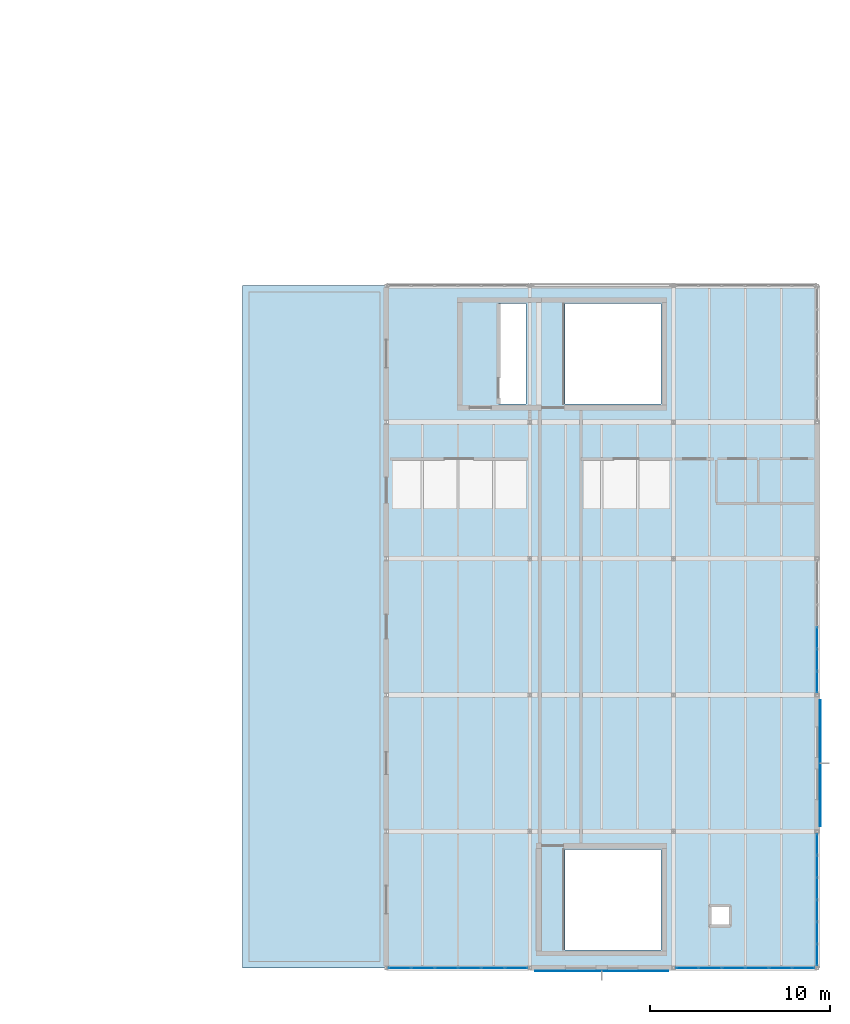
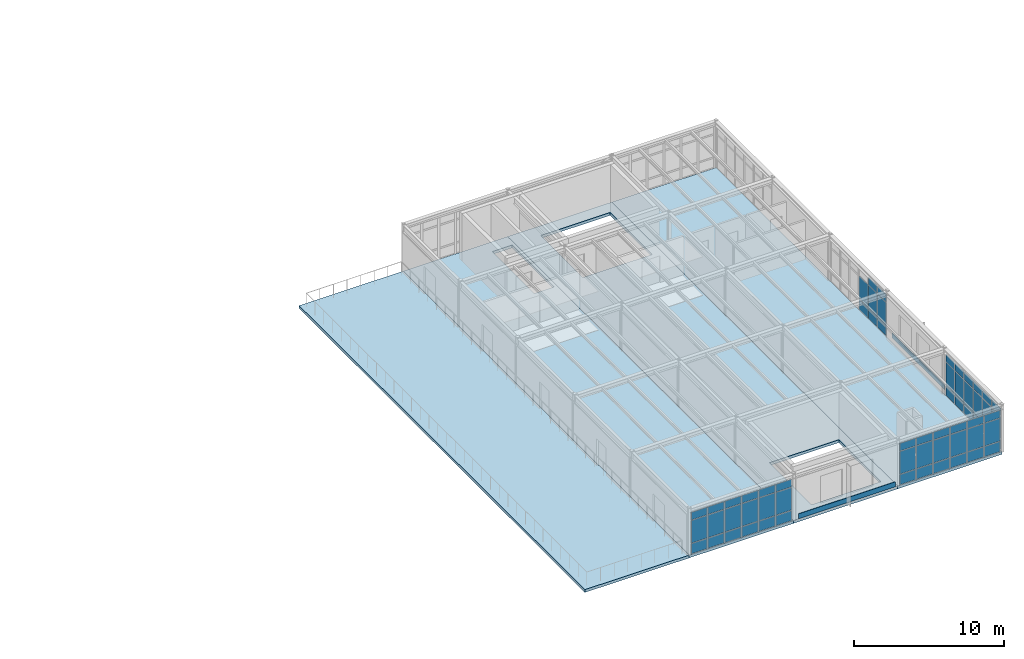
# One storey, part 44 of 65: 64 plates, 4 slabs, 4 elements without a shape of their own.
"""IFC4 building model written with IfcOpenShell, lengths in metres."""

import ifcopenshell
import ifcopenshell.guid

model = None  # the IFC model being written
_history = None  # IfcOwnerHistory: only IFC2X3 demands one
_inside = {}  # id of a spatial element -> (the spatial element, [elements in it])
_under = {}  # id of a project, library or spatial element -> (it, [spatial elements below it])
_declared = {}  # id of a project -> (the project, [libraries it declares])
_typed = {}  # id of a type object -> (the type object, [elements of that type])
_made_of = {}  # id of a material, layer set ... -> (it, [elements and type objects made of it])


def new_model(schema):
    """Start an empty IFC model of exactly this schema.

    Asked for "IFC4X3", IfcOpenShell would pick the latest addendum, in which some entities
    have other attributes; the version numbers below select the first issue.
    IFC2X3 requires an IfcOwnerHistory on every rooted entity: one is made here for all.
    """
    global model, _history
    if schema == "IFC4X3":
        model = ifcopenshell.file(schema_version=(4, 3, 0, 0))
    else:
        model = ifcopenshell.file(schema=schema)
    _inside.clear()
    _under.clear()
    _declared.clear()
    _typed.clear()
    _made_of.clear()
    _history = None
    if model.schema == "IFC2X3":
        org = make("IfcOrganization", Name="unknown")
        user = make(
            "IfcPersonAndOrganization",
            ThePerson=make("IfcPerson", FamilyName="unknown"),
            TheOrganization=org,
        )
        app = make(
            "IfcApplication",
            ApplicationDeveloper=org,
            Version="unknown",
            ApplicationFullName="unknown",
            ApplicationIdentifier="unknown",
        )
        _history = make(
            "IfcOwnerHistory",
            OwningUser=user,
            OwningApplication=app,
            ChangeAction="ADDED",
            CreationDate=0,
        )
    return model


def make(cls, **values):
    """One entity of the class cls with the attributes given. An attribute that is None is left unset."""
    return model.create_entity(
        cls, **{name: value for name, value in values.items() if value is not None}
    )


def rooted(cls, **values):
    """An entity with a GlobalId (a new one), such as an element, a storey or a relation."""
    return make(cls, GlobalId=ifcopenshell.guid.new(), OwnerHistory=_history, **values)


def si_unit(unit_type, name, prefix=None):
    """IfcSIUnit, for example si_unit("LENGTHUNIT", "METRE", prefix="MILLI")."""
    return make("IfcSIUnit", UnitType=unit_type, Prefix=prefix, Name=name)


def assignment(units):
    """IfcUnitAssignment: the units of a project."""
    return None if units is None else make("IfcUnitAssignment", Units=units)


def point(xyz):
    """IfcCartesianPoint."""
    return None if xyz is None else make("IfcCartesianPoint", Coordinates=xyz)


def direction(xyz):
    """IfcDirection."""
    return None if xyz is None else make("IfcDirection", DirectionRatios=xyz)


def frame(location, z_axis=None, x_axis=None):
    """IfcAxis2Placement3D, a coordinate frame: its origin and axes. An axis left out is left unset."""
    return make(
        "IfcAxis2Placement3D",
        Location=point(location),
        Axis=direction(z_axis),
        RefDirection=direction(x_axis),
    )


def frame_2d(location, x_axis=None):
    """IfcAxis2Placement2D, a coordinate frame in the plane: its origin and x axis."""
    return make(
        "IfcAxis2Placement2D", Location=point(location), RefDirection=direction(x_axis)
    )


def origin():
    """The frame at (0, 0, 0) with its axes left unset."""
    return frame((0.0, 0.0, 0.0))


def origin_2d():
    """The frame at (0, 0) in the plane with its x axis left unset."""
    return frame_2d((0.0, 0.0))


def place(relative_to, where):
    """IfcLocalPlacement: puts the frame where relative to a parent placement (None: the world)."""
    return make(
        "IfcLocalPlacement", PlacementRelTo=relative_to, RelativePlacement=where
    )


def context(
    kind, dimensions, precision=None, world=None, true_north=None, identifier=None
):
    """IfcGeometricRepresentationContext, for example the 3D "Model" context."""
    return make(
        "IfcGeometricRepresentationContext",
        ContextIdentifier=identifier,
        ContextType=kind,
        CoordinateSpaceDimension=dimensions,
        Precision=precision,
        WorldCoordinateSystem=world,
        TrueNorth=true_north,
    )


def subcontext(parent, identifier, kind, view, scale=None):
    """IfcGeometricRepresentationSubContext, for example "Body" below "Model"."""
    return make(
        "IfcGeometricRepresentationSubContext",
        ContextIdentifier=identifier,
        ContextType=kind,
        ParentContext=parent,
        TargetScale=scale,
        TargetView=view,
    )


def project(units=None, contexts=None):
    """IfcProject with its units and contexts."""
    return rooted(
        "IfcProject",
        Name="project",
        RepresentationContexts=contexts,
        UnitsInContext=assignment(units),
    )


def spatial(cls, under=None, at=None, **own):
    """A site, building, storey or space (cls), placed at a placement, below another one or the project."""
    s = rooted(cls, ObjectPlacement=at, **own)
    if under is not None:
        _under.setdefault(under.id(), (under, []))[1].append(s)
    return s


def polyline(points):
    """IfcPolyline through the points."""
    return make("IfcPolyline", Points=[point(p) for p in points])


def profile(cls, at=None, kind="AREA", **sizes):
    """A parametric profile (cls). Its sizes go by their IFC names, for example OverallWidth=200.0."""
    return make(cls, ProfileType=kind, Position=at, **sizes)


def rectangle(**sizes):
    """IfcRectangleProfileDef."""
    return profile("IfcRectangleProfileDef", **sizes)


def outline(outer, holes=None, kind="AREA"):
    """IfcArbitraryClosedProfileDef: a profile drawn as a closed curve; with holes, ...WithVoids."""
    if holes is None:
        return make("IfcArbitraryClosedProfileDef", ProfileType=kind, OuterCurve=outer)
    return make(
        "IfcArbitraryProfileDefWithVoids",
        ProfileType=kind,
        OuterCurve=outer,
        InnerCurves=holes,
    )


def extrude(swept, where, along, depth):
    """IfcExtrudedAreaSolid: the profile swept, set in the frame where, extruded along a direction by depth."""
    return make(
        "IfcExtrudedAreaSolid",
        SweptArea=swept,
        Position=where,
        ExtrudedDirection=direction(along),
        Depth=depth,
    )


def shape(context_of_items, identifier, shape_type, items):
    """IfcShapeRepresentation: the items that make up one representation, for example the "Body"."""
    return make(
        "IfcShapeRepresentation",
        ContextOfItems=context_of_items,
        RepresentationIdentifier=identifier,
        RepresentationType=shape_type,
        Items=items,
    )


def material(Name=None, Category=None):
    """IfcMaterial."""
    return make("IfcMaterial", Name=Name, Category=Category)


def layer(
    of_material, thickness, ventilated=None, Name=None, Category=None, Priority=None
):
    """IfcMaterialLayer: one layer of a wall or slab, of a material (None: an air gap)."""
    return make(
        "IfcMaterialLayer",
        Material=of_material,
        LayerThickness=thickness,
        IsVentilated=ventilated,
        Name=Name,
        Category=Category,
        Priority=Priority,
    )


def layer_set(layers, Name=None):
    """IfcMaterialLayerSet."""
    return make("IfcMaterialLayerSet", MaterialLayers=layers, LayerSetName=Name)


def made_of(thing, what):
    """Note that an element or type object is made of a material, layer set ...; save() writes the relation."""
    if what is not None:
        _made_of.setdefault(what.id(), (what, []))[1].append(thing)
    return thing


def type_object(cls, material=None, **own):
    """A type object (cls), such as IfcWallType, which elements share."""
    return made_of(rooted(cls, **own), material)


def element(
    cls,
    number,
    at=None,
    inside=None,
    cuts=None,
    type_object=None,
    material=None,
    context=None,
    identifier="Body",
    shape_type=None,
    held_by="IfcProductDefinitionShape",
    body=None,
    shapes=None,
    **own,
):
    """One element of the class cls, such as IfcWall. Its Tag is "e" and its number.

    at: its placement. inside: the storey or other place that contains it. cuts: it is an
    opening in that element (IfcRelVoidsElement). A single representation is given by context,
    identifier, shape_type and body (its items); several are given by shapes. held_by: the class
    of the entity that holds the representations. save() writes the other relations.
    """
    e = rooted(cls, Tag="e%d" % number, ObjectPlacement=at, **own)
    if body is not None:
        shapes = [shape(context, identifier, shape_type, body)]
    if shapes is not None:
        e.Representation = make(held_by, Representations=shapes)
    if inside is not None:
        _inside.setdefault(inside.id(), (inside, []))[1].append(e)
    if cuts is not None:
        rooted(
            "IfcRelVoidsElement", RelatingBuildingElement=cuts, RelatedOpeningElement=e
        )
    if type_object is not None:
        _typed.setdefault(type_object.id(), (type_object, []))[1].append(e)
    return made_of(e, material)


def aggregate(whole, parts):
    """IfcRelAggregates: a whole, such as a stair, and the parts it consists of."""
    return rooted("IfcRelAggregates", RelatingObject=whole, RelatedObjects=parts)


def save(model, path):
    """Write the relations noted so far, then the file.

    IfcRelAggregates (storeys below a building ...), IfcRelContainedInSpatialStructure (elements
    in a storey), IfcRelDefinesByType, IfcRelAssociatesMaterial and IfcRelDeclares: one each for
    every whole, place, type object, material and project.
    """
    for whole, parts in _under.values():
        aggregate(whole, parts)
    for where, things in _inside.values():
        rooted(
            "IfcRelContainedInSpatialStructure",
            RelatedElements=things,
            RelatingStructure=where,
        )
    for kind, things in _typed.values():
        rooted("IfcRelDefinesByType", RelatedObjects=things, RelatingType=kind)
    for what, things in _made_of.values():
        rooted("IfcRelAssociatesMaterial", RelatedObjects=things, RelatingMaterial=what)
    for by, libraries in _declared.values():
        rooted("IfcRelDeclares", RelatingContext=by, RelatedDefinitions=libraries)
    model.write(path)


model = new_model("IFC4")

# Units and contexts
model_context = context("Model", 3, precision=1e-05, world=origin(), true_north=direction((0.0, 1.0)))
body_context = subcontext(model_context, "Body", "Model", "MODEL_VIEW")
ifc_project = project(units=[si_unit("LENGTHUNIT", "METRE"), si_unit("AREAUNIT", "SQUARE_METRE"), si_unit("VOLUMEUNIT", "CUBIC_METRE"), si_unit("PLANEANGLEUNIT", "RADIAN"), si_unit("MASSUNIT", "GRAM", prefix="KILO")], contexts=[model_context])

# Site, building, storey
site_placement = place(None, origin())
site = spatial("IfcSite", under=ifc_project, at=site_placement, CompositionType="ELEMENT")
building_placement = place(site_placement, origin())
building = spatial("IfcBuilding", under=site, at=building_placement, Name="Montecoro Central Library", CompositionType="ELEMENT")
storey_placement = place(building_placement, frame((0.0, 0.0, 17.340087890625)))
storey = spatial("IfcBuildingStorey", under=building, at=storey_placement, Name="L04", CompositionType="ELEMENT", Elevation=17.340087890625)

# Curtain wall, plates
ifc_material_1 = material(Name="Bronze-anodised aluminium and low-E glazing", Category="aluminium")
ifc_layer_1 = layer(ifc_material_1, 0.159912109375)
ifc_layer_set_1 = layer_set([ifc_layer_1], Name="Bronze-anodised aluminium and low-E glazing")
curtain_wall_type_1 = type_object("IfcCurtainWallType", Name="CWT-072", PredefinedType="NOTDEFINED", material=ifc_layer_set_1)
curtain_wall_1_placement = place(storey_placement, origin())
curtain_wall_1 = element("IfcCurtainWall", 1, at=curtain_wall_1_placement, inside=storey, type_object=curtain_wall_type_1, Name="V6-L04-CW-S0", PredefinedType="NOTDEFINED")
ifc_material_2 = material(Name="Laminated low-E double glazing", Category="glass")
ifc_layer_2 = layer(ifc_material_2, 0.02587890625)
ifc_layer_set_2 = layer_set([ifc_layer_2], Name="Laminated low-E double glazing")
plate_type_1 = type_object("IfcPlateType", Name="CWP-GLZ-01", PredefinedType="CURTAIN_PANEL", material=ifc_layer_set_2)
plate_1_placement = place(storey_placement, frame((149.75927734375, 5.0, 0.059814453125), z_axis=(0.0, 0.0, 1.0), x_axis=(1.0, 0.0, 0.0)))
plate_1 = element("IfcPlate", 2, at=plate_1_placement, type_object=plate_type_1, Name="CW-072 panel 1.1", PredefinedType="CURTAIN_PANEL", context=body_context, shape_type="SweptSolid", body=[
    extrude(rectangle(XDim=1.21240234375, YDim=0.02587890625, at=origin_2d()), origin(), (0.0, 0.0, 1.0), 0.81005859375),
])
plate_2_placement = place(storey_placement, frame((149.75927734375, 5.0, 0.9296875), z_axis=(0.0, 0.0, 1.0), x_axis=(1.0, 0.0, 0.0)))
plate_2 = element("IfcPlate", 3, at=plate_2_placement, type_object=plate_type_1, Name="CW-072 panel 1.2", PredefinedType="CURTAIN_PANEL", context=body_context, shape_type="SweptSolid", body=[
    extrude(rectangle(XDim=1.21240234375, YDim=0.02587890625, at=origin_2d()), origin(), (0.0, 0.0, 1.0), 1.820068359375),
])
plate_3_placement = place(storey_placement, frame((149.75927734375, 5.0, 2.81005859375), z_axis=(0.0, 0.0, 1.0), x_axis=(1.0, 0.0, 0.0)))
plate_3 = element("IfcPlate", 4, at=plate_3_placement, type_object=plate_type_1, Name="CW-072 panel 1.3", PredefinedType="CURTAIN_PANEL", context=body_context, shape_type="SweptSolid", body=[
    extrude(rectangle(XDim=1.21240234375, YDim=0.02587890625, at=origin_2d()), origin(), (0.0, 0.0, 1.0), 0.610107421875),
])
plate_4_placement = place(storey_placement, frame((151.04638671875, 5.0, 0.059814453125), z_axis=(0.0, 0.0, 1.0), x_axis=(1.0, 0.0, 0.0)))
plate_4 = element("IfcPlate", 5, at=plate_4_placement, type_object=plate_type_1, Name="CW-072 panel 2.1", PredefinedType="CURTAIN_PANEL", context=body_context, shape_type="SweptSolid", body=[
    extrude(rectangle(XDim=1.242431640625, YDim=0.02587890625, at=origin_2d()), origin(), (0.0, 0.0, 1.0), 0.81005859375),
])
plate_5_placement = place(storey_placement, frame((151.04638671875, 5.0, 0.9296875), z_axis=(0.0, 0.0, 1.0), x_axis=(1.0, 0.0, 0.0)))
plate_5 = element("IfcPlate", 6, at=plate_5_placement, type_object=plate_type_1, Name="CW-072 panel 2.2", PredefinedType="CURTAIN_PANEL", context=body_context, shape_type="SweptSolid", body=[
    extrude(rectangle(XDim=1.242431640625, YDim=0.02587890625, at=origin_2d()), origin(), (0.0, 0.0, 1.0), 1.820068359375),
])
plate_6_placement = place(storey_placement, frame((151.04638671875, 5.0, 2.81005859375), z_axis=(0.0, 0.0, 1.0), x_axis=(1.0, 0.0, 0.0)))
plate_6 = element("IfcPlate", 7, at=plate_6_placement, type_object=plate_type_1, Name="CW-072 panel 2.3", PredefinedType="CURTAIN_PANEL", context=body_context, shape_type="SweptSolid", body=[
    extrude(rectangle(XDim=1.242431640625, YDim=0.02587890625, at=origin_2d()), origin(), (0.0, 0.0, 1.0), 0.610107421875),
])
plate_7_placement = place(storey_placement, frame((152.348876953125, 5.0, 0.059814453125), z_axis=(0.0, 0.0, 1.0), x_axis=(1.0, 0.0, 0.0)))
plate_7 = element("IfcPlate", 8, at=plate_7_placement, type_object=plate_type_1, Name="CW-072 panel 3.1", PredefinedType="CURTAIN_PANEL", context=body_context, shape_type="SweptSolid", body=[
    extrude(rectangle(XDim=1.242431640625, YDim=0.02587890625, at=origin_2d()), origin(), (0.0, 0.0, 1.0), 0.81005859375),
])
plate_8_placement = place(storey_placement, frame((152.348876953125, 5.0, 0.9296875), z_axis=(0.0, 0.0, 1.0), x_axis=(1.0, 0.0, 0.0)))
plate_8 = element("IfcPlate", 9, at=plate_8_placement, type_object=plate_type_1, Name="CW-072 panel 3.2", PredefinedType="CURTAIN_PANEL", context=body_context, shape_type="SweptSolid", body=[
    extrude(rectangle(XDim=1.242431640625, YDim=0.02587890625, at=origin_2d()), origin(), (0.0, 0.0, 1.0), 1.820068359375),
])
plate_9_placement = place(storey_placement, frame((152.348876953125, 5.0, 2.81005859375), z_axis=(0.0, 0.0, 1.0), x_axis=(1.0, 0.0, 0.0)))
plate_9 = element("IfcPlate", 10, at=plate_9_placement, type_object=plate_type_1, Name="CW-072 panel 3.3", PredefinedType="CURTAIN_PANEL", context=body_context, shape_type="SweptSolid", body=[
    extrude(rectangle(XDim=1.242431640625, YDim=0.02587890625, at=origin_2d()), origin(), (0.0, 0.0, 1.0), 0.610107421875),
])
plate_10_placement = place(storey_placement, frame((153.651123046875, 5.0, 0.059814453125), z_axis=(0.0, 0.0, 1.0), x_axis=(1.0, 0.0, 0.0)))
plate_10 = element("IfcPlate", 11, at=plate_10_placement, type_object=plate_type_1, Name="CW-072 panel 4.1", PredefinedType="CURTAIN_PANEL", context=body_context, shape_type="SweptSolid", body=[
    extrude(rectangle(XDim=1.242431640625, YDim=0.02587890625, at=origin_2d()), origin(), (0.0, 0.0, 1.0), 0.81005859375),
])
plate_11_placement = place(storey_placement, frame((153.651123046875, 5.0, 0.9296875), z_axis=(0.0, 0.0, 1.0), x_axis=(1.0, 0.0, 0.0)))
plate_11 = element("IfcPlate", 12, at=plate_11_placement, type_object=plate_type_1, Name="CW-072 panel 4.2", PredefinedType="CURTAIN_PANEL", context=body_context, shape_type="SweptSolid", body=[
    extrude(rectangle(XDim=1.242431640625, YDim=0.02587890625, at=origin_2d()), origin(), (0.0, 0.0, 1.0), 1.820068359375),
])
plate_12_placement = place(storey_placement, frame((153.651123046875, 5.0, 2.81005859375), z_axis=(0.0, 0.0, 1.0), x_axis=(1.0, 0.0, 0.0)))
plate_12 = element("IfcPlate", 13, at=plate_12_placement, type_object=plate_type_1, Name="CW-072 panel 4.3", PredefinedType="CURTAIN_PANEL", context=body_context, shape_type="SweptSolid", body=[
    extrude(rectangle(XDim=1.242431640625, YDim=0.02587890625, at=origin_2d()), origin(), (0.0, 0.0, 1.0), 0.610107421875),
])
plate_13_placement = place(storey_placement, frame((154.95361328125, 5.0, 0.059814453125), z_axis=(0.0, 0.0, 1.0), x_axis=(1.0, 0.0, 0.0)))
plate_13 = element("IfcPlate", 14, at=plate_13_placement, type_object=plate_type_1, Name="CW-072 panel 5.1", PredefinedType="CURTAIN_PANEL", context=body_context, shape_type="SweptSolid", body=[
    extrude(rectangle(XDim=1.242431640625, YDim=0.02587890625, at=origin_2d()), origin(), (0.0, 0.0, 1.0), 0.81005859375),
])
plate_14_placement = place(storey_placement, frame((154.95361328125, 5.0, 0.9296875), z_axis=(0.0, 0.0, 1.0), x_axis=(1.0, 0.0, 0.0)))
plate_14 = element("IfcPlate", 15, at=plate_14_placement, type_object=plate_type_1, Name="CW-072 panel 5.2", PredefinedType="CURTAIN_PANEL", context=body_context, shape_type="SweptSolid", body=[
    extrude(rectangle(XDim=1.242431640625, YDim=0.02587890625, at=origin_2d()), origin(), (0.0, 0.0, 1.0), 1.820068359375),
])
plate_15_placement = place(storey_placement, frame((154.95361328125, 5.0, 2.81005859375), z_axis=(0.0, 0.0, 1.0), x_axis=(1.0, 0.0, 0.0)))
plate_15 = element("IfcPlate", 16, at=plate_15_placement, type_object=plate_type_1, Name="CW-072 panel 5.3", PredefinedType="CURTAIN_PANEL", context=body_context, shape_type="SweptSolid", body=[
    extrude(rectangle(XDim=1.242431640625, YDim=0.02587890625, at=origin_2d()), origin(), (0.0, 0.0, 1.0), 0.610107421875),
])
plate_16_placement = place(storey_placement, frame((156.24072265625, 5.0, 0.059814453125), z_axis=(0.0, 0.0, 1.0), x_axis=(1.0, 0.0, 0.0)))
plate_16 = element("IfcPlate", 17, at=plate_16_placement, type_object=plate_type_1, Name="CW-072 panel 6.1", PredefinedType="CURTAIN_PANEL", context=body_context, shape_type="SweptSolid", body=[
    extrude(rectangle(XDim=1.21240234375, YDim=0.02587890625, at=origin_2d()), origin(), (0.0, 0.0, 1.0), 0.81005859375),
])
plate_17_placement = place(storey_placement, frame((156.24072265625, 5.0, 0.9296875), z_axis=(0.0, 0.0, 1.0), x_axis=(1.0, 0.0, 0.0)))
plate_17 = element("IfcPlate", 18, at=plate_17_placement, type_object=plate_type_1, Name="CW-072 panel 6.2", PredefinedType="CURTAIN_PANEL", context=body_context, shape_type="SweptSolid", body=[
    extrude(rectangle(XDim=1.21240234375, YDim=0.02587890625, at=origin_2d()), origin(), (0.0, 0.0, 1.0), 1.820068359375),
])
plate_18_placement = place(storey_placement, frame((156.24072265625, 5.0, 2.81005859375), z_axis=(0.0, 0.0, 1.0), x_axis=(1.0, 0.0, 0.0)))
plate_18 = element("IfcPlate", 19, at=plate_18_placement, type_object=plate_type_1, Name="CW-072 panel 6.3", PredefinedType="CURTAIN_PANEL", context=body_context, shape_type="SweptSolid", body=[
    extrude(rectangle(XDim=1.21240234375, YDim=0.02587890625, at=origin_2d()), origin(), (0.0, 0.0, 1.0), 0.610107421875),
])
aggregate(curtain_wall_1, [plate_1, plate_2, plate_3, plate_4, plate_5, plate_6, plate_7, plate_8, plate_9, plate_10, plate_11, plate_12, plate_13, plate_14, plate_15, plate_16, plate_17, plate_18])

ifc_layer_3 = layer(ifc_material_1, 0.159912109375)
ifc_layer_set_3 = layer_set([ifc_layer_3], Name="Bronze-anodised aluminium and low-E glazing")
curtain_wall_type_2 = type_object("IfcCurtainWallType", Name="CWT-073", PredefinedType="NOTDEFINED", material=ifc_layer_set_3)
curtain_wall_2_placement = place(storey_placement, origin())
curtain_wall_2 = element("IfcCurtainWall", 20, at=curtain_wall_2_placement, inside=storey, type_object=curtain_wall_type_2, Name="V6-L04-CW-E0", PredefinedType="NOTDEFINED")
plate_19_placement = place(storey_placement, frame((173.0, 5.725830078125, 0.059814453125), z_axis=(0.0, 0.0, 1.0), x_axis=(0.0, 1.0, 0.0)))
plate_19 = element("IfcPlate", 21, at=plate_19_placement, type_object=plate_type_1, Name="CW-073 panel 1.1", PredefinedType="CURTAIN_PANEL", context=body_context, shape_type="SweptSolid", body=[
    extrude(rectangle(XDim=1.145751953125, YDim=0.02587890625, at=origin_2d()), origin(), (0.0, 0.0, 1.0), 0.81005859375),
])
plate_20_placement = place(storey_placement, frame((173.0, 5.725830078125, 0.9296875), z_axis=(0.0, 0.0, 1.0), x_axis=(0.0, 1.0, 0.0)))
plate_20 = element("IfcPlate", 22, at=plate_20_placement, type_object=plate_type_1, Name="CW-073 panel 1.2", PredefinedType="CURTAIN_PANEL", context=body_context, shape_type="SweptSolid", body=[
    extrude(rectangle(XDim=1.145751953125, YDim=0.02587890625, at=origin_2d()), origin(), (0.0, 0.0, 1.0), 1.820068359375),
])
plate_21_placement = place(storey_placement, frame((173.0, 5.725830078125, 2.81005859375), z_axis=(0.0, 0.0, 1.0), x_axis=(0.0, 1.0, 0.0)))
plate_21 = element("IfcPlate", 23, at=plate_21_placement, type_object=plate_type_1, Name="CW-073 panel 1.3", PredefinedType="CURTAIN_PANEL", context=body_context, shape_type="SweptSolid", body=[
    extrude(rectangle(XDim=1.145751953125, YDim=0.02587890625, at=origin_2d()), origin(), (0.0, 0.0, 1.0), 0.610107421875),
])
plate_22_placement = place(storey_placement, frame((173.0, 6.946533203125, 0.059814453125), z_axis=(0.0, 0.0, 1.0), x_axis=(0.0, 1.0, 0.0)))
plate_22 = element("IfcPlate", 24, at=plate_22_placement, type_object=plate_type_1, Name="CW-073 panel 2.1", PredefinedType="CURTAIN_PANEL", context=body_context, shape_type="SweptSolid", body=[
    extrude(rectangle(XDim=1.17578125, YDim=0.02587890625, at=origin_2d()), origin(), (0.0, 0.0, 1.0), 0.81005859375),
])
plate_23_placement = place(storey_placement, frame((173.0, 6.946533203125, 0.9296875), z_axis=(0.0, 0.0, 1.0), x_axis=(0.0, 1.0, 0.0)))
plate_23 = element("IfcPlate", 25, at=plate_23_placement, type_object=plate_type_1, Name="CW-073 panel 2.2", PredefinedType="CURTAIN_PANEL", context=body_context, shape_type="SweptSolid", body=[
    extrude(rectangle(XDim=1.17578125, YDim=0.02587890625, at=origin_2d()), origin(), (0.0, 0.0, 1.0), 1.820068359375),
])
plate_24_placement = place(storey_placement, frame((173.0, 6.946533203125, 2.81005859375), z_axis=(0.0, 0.0, 1.0), x_axis=(0.0, 1.0, 0.0)))
plate_24 = element("IfcPlate", 26, at=plate_24_placement, type_object=plate_type_1, Name="CW-073 panel 2.3", PredefinedType="CURTAIN_PANEL", context=body_context, shape_type="SweptSolid", body=[
    extrude(rectangle(XDim=1.17578125, YDim=0.02587890625, at=origin_2d()), origin(), (0.0, 0.0, 1.0), 0.610107421875),
])
plate_25_placement = place(storey_placement, frame((173.0, 8.18212890625, 0.059814453125), z_axis=(0.0, 0.0, 1.0), x_axis=(0.0, 1.0, 0.0)))
plate_25 = element("IfcPlate", 27, at=plate_25_placement, type_object=plate_type_1, Name="CW-073 panel 3.1", PredefinedType="CURTAIN_PANEL", context=body_context, shape_type="SweptSolid", body=[
    extrude(rectangle(XDim=1.17578125, YDim=0.02587890625, at=origin_2d()), origin(), (0.0, 0.0, 1.0), 0.81005859375),
])
plate_26_placement = place(storey_placement, frame((173.0, 8.18212890625, 0.9296875), z_axis=(0.0, 0.0, 1.0), x_axis=(0.0, 1.0, 0.0)))
plate_26 = element("IfcPlate", 28, at=plate_26_placement, type_object=plate_type_1, Name="CW-073 panel 3.2", PredefinedType="CURTAIN_PANEL", context=body_context, shape_type="SweptSolid", body=[
    extrude(rectangle(XDim=1.17578125, YDim=0.02587890625, at=origin_2d()), origin(), (0.0, 0.0, 1.0), 1.820068359375),
])
plate_27_placement = place(storey_placement, frame((173.0, 8.18212890625, 2.81005859375), z_axis=(0.0, 0.0, 1.0), x_axis=(0.0, 1.0, 0.0)))
plate_27 = element("IfcPlate", 29, at=plate_27_placement, type_object=plate_type_1, Name="CW-073 panel 3.3", PredefinedType="CURTAIN_PANEL", context=body_context, shape_type="SweptSolid", body=[
    extrude(rectangle(XDim=1.17578125, YDim=0.02587890625, at=origin_2d()), origin(), (0.0, 0.0, 1.0), 0.610107421875),
])
plate_28_placement = place(storey_placement, frame((173.0, 9.417724609375, 0.059814453125), z_axis=(0.0, 0.0, 1.0), x_axis=(0.0, 1.0, 0.0)))
plate_28 = element("IfcPlate", 30, at=plate_28_placement, type_object=plate_type_1, Name="CW-073 panel 4.1", PredefinedType="CURTAIN_PANEL", context=body_context, shape_type="SweptSolid", body=[
    extrude(rectangle(XDim=1.17578125, YDim=0.02587890625, at=origin_2d()), origin(), (0.0, 0.0, 1.0), 0.81005859375),
])
plate_29_placement = place(storey_placement, frame((173.0, 9.417724609375, 0.9296875), z_axis=(0.0, 0.0, 1.0), x_axis=(0.0, 1.0, 0.0)))
plate_29 = element("IfcPlate", 31, at=plate_29_placement, type_object=plate_type_1, Name="CW-073 panel 4.2", PredefinedType="CURTAIN_PANEL", context=body_context, shape_type="SweptSolid", body=[
    extrude(rectangle(XDim=1.17578125, YDim=0.02587890625, at=origin_2d()), origin(), (0.0, 0.0, 1.0), 1.820068359375),
])
plate_30_placement = place(storey_placement, frame((173.0, 9.417724609375, 2.81005859375), z_axis=(0.0, 0.0, 1.0), x_axis=(0.0, 1.0, 0.0)))
plate_30 = element("IfcPlate", 32, at=plate_30_placement, type_object=plate_type_1, Name="CW-073 panel 4.3", PredefinedType="CURTAIN_PANEL", context=body_context, shape_type="SweptSolid", body=[
    extrude(rectangle(XDim=1.17578125, YDim=0.02587890625, at=origin_2d()), origin(), (0.0, 0.0, 1.0), 0.610107421875),
])
plate_31_placement = place(storey_placement, frame((173.0, 10.653564453125, 0.059814453125), z_axis=(0.0, 0.0, 1.0), x_axis=(0.0, 1.0, 0.0)))
plate_31 = element("IfcPlate", 33, at=plate_31_placement, type_object=plate_type_1, Name="CW-073 panel 5.1", PredefinedType="CURTAIN_PANEL", context=body_context, shape_type="SweptSolid", body=[
    extrude(rectangle(XDim=1.17578125, YDim=0.02587890625, at=origin_2d()), origin(), (0.0, 0.0, 1.0), 0.81005859375),
])
plate_32_placement = place(storey_placement, frame((173.0, 10.653564453125, 0.9296875), z_axis=(0.0, 0.0, 1.0), x_axis=(0.0, 1.0, 0.0)))
plate_32 = element("IfcPlate", 34, at=plate_32_placement, type_object=plate_type_1, Name="CW-073 panel 5.2", PredefinedType="CURTAIN_PANEL", context=body_context, shape_type="SweptSolid", body=[
    extrude(rectangle(XDim=1.17578125, YDim=0.02587890625, at=origin_2d()), origin(), (0.0, 0.0, 1.0), 1.820068359375),
])
plate_33_placement = place(storey_placement, frame((173.0, 10.653564453125, 2.81005859375), z_axis=(0.0, 0.0, 1.0), x_axis=(0.0, 1.0, 0.0)))
plate_33 = element("IfcPlate", 35, at=plate_33_placement, type_object=plate_type_1, Name="CW-073 panel 5.3", PredefinedType="CURTAIN_PANEL", context=body_context, shape_type="SweptSolid", body=[
    extrude(rectangle(XDim=1.17578125, YDim=0.02587890625, at=origin_2d()), origin(), (0.0, 0.0, 1.0), 0.610107421875),
])
plate_34_placement = place(storey_placement, frame((173.0, 11.874267578125, 0.059814453125), z_axis=(0.0, 0.0, 1.0), x_axis=(0.0, 1.0, 0.0)))
plate_34 = element("IfcPlate", 36, at=plate_34_placement, type_object=plate_type_1, Name="CW-073 panel 6.1", PredefinedType="CURTAIN_PANEL", context=body_context, shape_type="SweptSolid", body=[
    extrude(rectangle(XDim=1.145751953125, YDim=0.02587890625, at=origin_2d()), origin(), (0.0, 0.0, 1.0), 0.81005859375),
])
plate_35_placement = place(storey_placement, frame((173.0, 11.874267578125, 0.9296875), z_axis=(0.0, 0.0, 1.0), x_axis=(0.0, 1.0, 0.0)))
plate_35 = element("IfcPlate", 37, at=plate_35_placement, type_object=plate_type_1, Name="CW-073 panel 6.2", PredefinedType="CURTAIN_PANEL", context=body_context, shape_type="SweptSolid", body=[
    extrude(rectangle(XDim=1.145751953125, YDim=0.02587890625, at=origin_2d()), origin(), (0.0, 0.0, 1.0), 1.820068359375),
])
plate_36_placement = place(storey_placement, frame((173.0, 11.874267578125, 2.81005859375), z_axis=(0.0, 0.0, 1.0), x_axis=(0.0, 1.0, 0.0)))
plate_36 = element("IfcPlate", 38, at=plate_36_placement, type_object=plate_type_1, Name="CW-073 panel 6.3", PredefinedType="CURTAIN_PANEL", context=body_context, shape_type="SweptSolid", body=[
    extrude(rectangle(XDim=1.145751953125, YDim=0.02587890625, at=origin_2d()), origin(), (0.0, 0.0, 1.0), 0.610107421875),
])
aggregate(curtain_wall_2, [plate_19, plate_20, plate_21, plate_22, plate_23, plate_24, plate_25, plate_26, plate_27, plate_28, plate_29, plate_30, plate_31, plate_32, plate_33, plate_34, plate_35, plate_36])

curtain_wall_3_placement = place(storey_placement, origin())
curtain_wall_3 = element("IfcCurtainWall", 39, at=curtain_wall_3_placement, inside=storey, type_object=curtain_wall_type_1, Name="V6-L04-CW-S2", PredefinedType="NOTDEFINED")
ifc_layer_4 = layer(ifc_material_2, 0.033935546875)
ifc_layer_set_4 = layer_set([ifc_layer_4], Name="Laminated low-E double glazing")
plate_type_2 = type_object("IfcPlateType", Name="CWP-GLZ-03", PredefinedType="CURTAIN_PANEL", material=ifc_layer_set_4)
plate_37_placement = place(storey_placement, frame((165.75927734375, 5.0, 0.059814453125), z_axis=(0.0, 0.0, 1.0), x_axis=(1.0, 0.0, 0.0)))
plate_37 = element("IfcPlate", 40, at=plate_37_placement, type_object=plate_type_2, Name="CW-072 panel 1.1", PredefinedType="CURTAIN_PANEL", context=body_context, shape_type="SweptSolid", body=[
    extrude(rectangle(XDim=1.21240234375, YDim=0.033935546875, at=origin_2d()), origin(), (0.0, 0.0, 1.0), 0.81005859375),
])
plate_38_placement = place(storey_placement, frame((165.75927734375, 5.0, 0.9296875), z_axis=(0.0, 0.0, 1.0), x_axis=(1.0, 0.0, 0.0)))
plate_38 = element("IfcPlate", 41, at=plate_38_placement, type_object=plate_type_2, Name="CW-072 panel 1.2", PredefinedType="CURTAIN_PANEL", context=body_context, shape_type="SweptSolid", body=[
    extrude(rectangle(XDim=1.21240234375, YDim=0.033935546875, at=origin_2d()), origin(), (0.0, 0.0, 1.0), 1.820068359375),
])
plate_39_placement = place(storey_placement, frame((165.75927734375, 5.0, 2.81005859375), z_axis=(0.0, 0.0, 1.0), x_axis=(1.0, 0.0, 0.0)))
plate_39 = element("IfcPlate", 42, at=plate_39_placement, type_object=plate_type_2, Name="CW-072 panel 1.3", PredefinedType="CURTAIN_PANEL", context=body_context, shape_type="SweptSolid", body=[
    extrude(rectangle(XDim=1.21240234375, YDim=0.033935546875, at=origin_2d()), origin(), (0.0, 0.0, 1.0), 0.610107421875),
])
plate_40_placement = place(storey_placement, frame((167.04638671875, 5.0, 0.059814453125), z_axis=(0.0, 0.0, 1.0), x_axis=(1.0, 0.0, 0.0)))
plate_40 = element("IfcPlate", 43, at=plate_40_placement, type_object=plate_type_2, Name="CW-072 panel 2.1", PredefinedType="CURTAIN_PANEL", context=body_context, shape_type="SweptSolid", body=[
    extrude(rectangle(XDim=1.242431640625, YDim=0.033935546875, at=origin_2d()), origin(), (0.0, 0.0, 1.0), 0.81005859375),
])
plate_41_placement = place(storey_placement, frame((167.04638671875, 5.0, 0.9296875), z_axis=(0.0, 0.0, 1.0), x_axis=(1.0, 0.0, 0.0)))
plate_41 = element("IfcPlate", 44, at=plate_41_placement, type_object=plate_type_2, Name="CW-072 panel 2.2", PredefinedType="CURTAIN_PANEL", context=body_context, shape_type="SweptSolid", body=[
    extrude(rectangle(XDim=1.242431640625, YDim=0.033935546875, at=origin_2d()), origin(), (0.0, 0.0, 1.0), 1.820068359375),
])
plate_42_placement = place(storey_placement, frame((167.04638671875, 5.0, 2.81005859375), z_axis=(0.0, 0.0, 1.0), x_axis=(1.0, 0.0, 0.0)))
plate_42 = element("IfcPlate", 45, at=plate_42_placement, type_object=plate_type_2, Name="CW-072 panel 2.3", PredefinedType="CURTAIN_PANEL", context=body_context, shape_type="SweptSolid", body=[
    extrude(rectangle(XDim=1.242431640625, YDim=0.033935546875, at=origin_2d()), origin(), (0.0, 0.0, 1.0), 0.610107421875),
])
plate_43_placement = place(storey_placement, frame((168.348876953125, 5.0, 0.059814453125), z_axis=(0.0, 0.0, 1.0), x_axis=(1.0, 0.0, 0.0)))
plate_43 = element("IfcPlate", 46, at=plate_43_placement, type_object=plate_type_2, Name="CW-072 panel 3.1", PredefinedType="CURTAIN_PANEL", context=body_context, shape_type="SweptSolid", body=[
    extrude(rectangle(XDim=1.242431640625, YDim=0.033935546875, at=origin_2d()), origin(), (0.0, 0.0, 1.0), 0.81005859375),
])
plate_44_placement = place(storey_placement, frame((168.348876953125, 5.0, 0.9296875), z_axis=(0.0, 0.0, 1.0), x_axis=(1.0, 0.0, 0.0)))
plate_44 = element("IfcPlate", 47, at=plate_44_placement, type_object=plate_type_2, Name="CW-072 panel 3.2", PredefinedType="CURTAIN_PANEL", context=body_context, shape_type="SweptSolid", body=[
    extrude(rectangle(XDim=1.242431640625, YDim=0.033935546875, at=origin_2d()), origin(), (0.0, 0.0, 1.0), 1.820068359375),
])
plate_45_placement = place(storey_placement, frame((168.348876953125, 5.0, 2.81005859375), z_axis=(0.0, 0.0, 1.0), x_axis=(1.0, 0.0, 0.0)))
plate_45 = element("IfcPlate", 48, at=plate_45_placement, type_object=plate_type_2, Name="CW-072 panel 3.3", PredefinedType="CURTAIN_PANEL", context=body_context, shape_type="SweptSolid", body=[
    extrude(rectangle(XDim=1.242431640625, YDim=0.033935546875, at=origin_2d()), origin(), (0.0, 0.0, 1.0), 0.610107421875),
])
plate_46_placement = place(storey_placement, frame((169.651123046875, 5.0, 0.059814453125), z_axis=(0.0, 0.0, 1.0), x_axis=(1.0, 0.0, 0.0)))
plate_46 = element("IfcPlate", 49, at=plate_46_placement, type_object=plate_type_2, Name="CW-072 panel 4.1", PredefinedType="CURTAIN_PANEL", context=body_context, shape_type="SweptSolid", body=[
    extrude(rectangle(XDim=1.242431640625, YDim=0.033935546875, at=origin_2d()), origin(), (0.0, 0.0, 1.0), 0.81005859375),
])
plate_47_placement = place(storey_placement, frame((169.651123046875, 5.0, 0.9296875), z_axis=(0.0, 0.0, 1.0), x_axis=(1.0, 0.0, 0.0)))
plate_47 = element("IfcPlate", 50, at=plate_47_placement, type_object=plate_type_2, Name="CW-072 panel 4.2", PredefinedType="CURTAIN_PANEL", context=body_context, shape_type="SweptSolid", body=[
    extrude(rectangle(XDim=1.242431640625, YDim=0.033935546875, at=origin_2d()), origin(), (0.0, 0.0, 1.0), 1.820068359375),
])
plate_48_placement = place(storey_placement, frame((169.651123046875, 5.0, 2.81005859375), z_axis=(0.0, 0.0, 1.0), x_axis=(1.0, 0.0, 0.0)))
plate_48 = element("IfcPlate", 51, at=plate_48_placement, type_object=plate_type_2, Name="CW-072 panel 4.3", PredefinedType="CURTAIN_PANEL", context=body_context, shape_type="SweptSolid", body=[
    extrude(rectangle(XDim=1.242431640625, YDim=0.033935546875, at=origin_2d()), origin(), (0.0, 0.0, 1.0), 0.610107421875),
])
plate_49_placement = place(storey_placement, frame((170.95361328125, 5.0, 0.059814453125), z_axis=(0.0, 0.0, 1.0), x_axis=(1.0, 0.0, 0.0)))
plate_49 = element("IfcPlate", 52, at=plate_49_placement, type_object=plate_type_2, Name="CW-072 panel 5.1", PredefinedType="CURTAIN_PANEL", context=body_context, shape_type="SweptSolid", body=[
    extrude(rectangle(XDim=1.242431640625, YDim=0.033935546875, at=origin_2d()), origin(), (0.0, 0.0, 1.0), 0.81005859375),
])
plate_50_placement = place(storey_placement, frame((170.95361328125, 5.0, 0.9296875), z_axis=(0.0, 0.0, 1.0), x_axis=(1.0, 0.0, 0.0)))
plate_50 = element("IfcPlate", 53, at=plate_50_placement, type_object=plate_type_2, Name="CW-072 panel 5.2", PredefinedType="CURTAIN_PANEL", context=body_context, shape_type="SweptSolid", body=[
    extrude(rectangle(XDim=1.242431640625, YDim=0.033935546875, at=origin_2d()), origin(), (0.0, 0.0, 1.0), 1.820068359375),
])
plate_51_placement = place(storey_placement, frame((170.95361328125, 5.0, 2.81005859375), z_axis=(0.0, 0.0, 1.0), x_axis=(1.0, 0.0, 0.0)))
plate_51 = element("IfcPlate", 54, at=plate_51_placement, type_object=plate_type_2, Name="CW-072 panel 5.3", PredefinedType="CURTAIN_PANEL", context=body_context, shape_type="SweptSolid", body=[
    extrude(rectangle(XDim=1.242431640625, YDim=0.033935546875, at=origin_2d()), origin(), (0.0, 0.0, 1.0), 0.610107421875),
])
plate_52_placement = place(storey_placement, frame((172.24072265625, 5.0, 0.059814453125), z_axis=(0.0, 0.0, 1.0), x_axis=(1.0, 0.0, 0.0)))
plate_52 = element("IfcPlate", 55, at=plate_52_placement, type_object=plate_type_2, Name="CW-072 panel 6.1", PredefinedType="CURTAIN_PANEL", context=body_context, shape_type="SweptSolid", body=[
    extrude(rectangle(XDim=1.21240234375, YDim=0.033935546875, at=origin_2d()), origin(), (0.0, 0.0, 1.0), 0.81005859375),
])
plate_53_placement = place(storey_placement, frame((172.24072265625, 5.0, 0.9296875), z_axis=(0.0, 0.0, 1.0), x_axis=(1.0, 0.0, 0.0)))
plate_53 = element("IfcPlate", 56, at=plate_53_placement, type_object=plate_type_2, Name="CW-072 panel 6.2", PredefinedType="CURTAIN_PANEL", context=body_context, shape_type="SweptSolid", body=[
    extrude(rectangle(XDim=1.21240234375, YDim=0.033935546875, at=origin_2d()), origin(), (0.0, 0.0, 1.0), 1.820068359375),
])
plate_54_placement = place(storey_placement, frame((172.24072265625, 5.0, 2.81005859375), z_axis=(0.0, 0.0, 1.0), x_axis=(1.0, 0.0, 0.0)))
plate_54 = element("IfcPlate", 57, at=plate_54_placement, type_object=plate_type_2, Name="CW-072 panel 6.3", PredefinedType="CURTAIN_PANEL", context=body_context, shape_type="SweptSolid", body=[
    extrude(rectangle(XDim=1.21240234375, YDim=0.033935546875, at=origin_2d()), origin(), (0.0, 0.0, 1.0), 0.610107421875),
])
aggregate(curtain_wall_3, [plate_37, plate_38, plate_39, plate_40, plate_41, plate_42, plate_43, plate_44, plate_45, plate_46, plate_47, plate_48, plate_49, plate_50, plate_51, plate_52, plate_53, plate_54])

curtain_wall_4_placement = place(storey_placement, origin())
curtain_wall_4 = element("IfcCurtainWall", 58, at=curtain_wall_4_placement, inside=storey, type_object=curtain_wall_type_2, Name="V6-L04-CW-E2", PredefinedType="NOTDEFINED")
plate_55_placement = place(storey_placement, frame((173.0, 20.92578125, 0.059814453125), z_axis=(0.0, 0.0, 1.0), x_axis=(0.0, 1.0, 0.0)))
plate_55 = element("IfcPlate", 59, at=plate_55_placement, type_object=plate_type_2, Name="CW-073 panel 1.1", PredefinedType="CURTAIN_PANEL", context=body_context, shape_type="SweptSolid", body=[
    extrude(rectangle(XDim=1.145751953125, YDim=0.033935546875, at=origin_2d()), origin(), (0.0, 0.0, 1.0), 0.81005859375),
])
plate_56_placement = place(storey_placement, frame((173.0, 20.92578125, 0.9296875), z_axis=(0.0, 0.0, 1.0), x_axis=(0.0, 1.0, 0.0)))
plate_56 = element("IfcPlate", 60, at=plate_56_placement, type_object=plate_type_2, Name="CW-073 panel 1.2", PredefinedType="CURTAIN_PANEL", context=body_context, shape_type="SweptSolid", body=[
    extrude(rectangle(XDim=1.145751953125, YDim=0.033935546875, at=origin_2d()), origin(), (0.0, 0.0, 1.0), 1.820068359375),
])
plate_57_placement = place(storey_placement, frame((173.0, 20.92578125, 2.81005859375), z_axis=(0.0, 0.0, 1.0), x_axis=(0.0, 1.0, 0.0)))
plate_57 = element("IfcPlate", 61, at=plate_57_placement, type_object=plate_type_2, Name="CW-073 panel 1.3", PredefinedType="CURTAIN_PANEL", context=body_context, shape_type="SweptSolid", body=[
    extrude(rectangle(XDim=1.145751953125, YDim=0.033935546875, at=origin_2d()), origin(), (0.0, 0.0, 1.0), 0.610107421875),
])
plate_58_placement = place(storey_placement, frame((173.0, 22.146484375, 0.059814453125), z_axis=(0.0, 0.0, 1.0), x_axis=(0.0, 1.0, 0.0)))
plate_58 = element("IfcPlate", 62, at=plate_58_placement, type_object=plate_type_2, Name="CW-073 panel 2.1", PredefinedType="CURTAIN_PANEL", context=body_context, shape_type="SweptSolid", body=[
    extrude(rectangle(XDim=1.17578125, YDim=0.033935546875, at=origin_2d()), origin(), (0.0, 0.0, 1.0), 0.81005859375),
])
plate_59_placement = place(storey_placement, frame((173.0, 22.146484375, 0.9296875), z_axis=(0.0, 0.0, 1.0), x_axis=(0.0, 1.0, 0.0)))
plate_59 = element("IfcPlate", 63, at=plate_59_placement, type_object=plate_type_2, Name="CW-073 panel 2.2", PredefinedType="CURTAIN_PANEL", context=body_context, shape_type="SweptSolid", body=[
    extrude(rectangle(XDim=1.17578125, YDim=0.033935546875, at=origin_2d()), origin(), (0.0, 0.0, 1.0), 1.820068359375),
])
plate_60_placement = place(storey_placement, frame((173.0, 22.146484375, 2.81005859375), z_axis=(0.0, 0.0, 1.0), x_axis=(0.0, 1.0, 0.0)))
plate_60 = element("IfcPlate", 64, at=plate_60_placement, type_object=plate_type_2, Name="CW-073 panel 2.3", PredefinedType="CURTAIN_PANEL", context=body_context, shape_type="SweptSolid", body=[
    extrude(rectangle(XDim=1.17578125, YDim=0.033935546875, at=origin_2d()), origin(), (0.0, 0.0, 1.0), 0.610107421875),
])
plate_61_placement = place(storey_placement, frame((173.0, 23.382080078125, 0.059814453125), z_axis=(0.0, 0.0, 1.0), x_axis=(0.0, 1.0, 0.0)))
plate_61 = element("IfcPlate", 65, at=plate_61_placement, type_object=plate_type_2, Name="CW-073 panel 3.1", PredefinedType="CURTAIN_PANEL", context=body_context, shape_type="SweptSolid", body=[
    extrude(rectangle(XDim=1.17578125, YDim=0.033935546875, at=origin_2d()), origin(), (0.0, 0.0, 1.0), 0.81005859375),
])
plate_62_placement = place(storey_placement, frame((173.0, 23.382080078125, 0.9296875), z_axis=(0.0, 0.0, 1.0), x_axis=(0.0, 1.0, 0.0)))
plate_62 = element("IfcPlate", 66, at=plate_62_placement, type_object=plate_type_2, Name="CW-073 panel 3.2", PredefinedType="CURTAIN_PANEL", context=body_context, shape_type="SweptSolid", body=[
    extrude(rectangle(XDim=1.17578125, YDim=0.033935546875, at=origin_2d()), origin(), (0.0, 0.0, 1.0), 1.820068359375),
])
aggregate(curtain_wall_4, [plate_55, plate_56, plate_57, plate_58, plate_59, plate_60, plate_61, plate_62])

# Plates
ifc_material_3 = material(Name="Architectural bronze spandrel plate", Category="aluminium")
ifc_layer_5 = layer(ifc_material_3, 0.035888671875)
ifc_layer_set_5 = layer_set([ifc_layer_5], Name="Architectural bronze spandrel plate")
plate_type_3 = type_object("IfcPlateType", Name="PLT-SPN-03", PredefinedType="SHEET", material=ifc_layer_set_5)
plate_63_placement = place(storey_placement, frame((161.0, 4.826904296875, 0.159912109375), z_axis=(0.0, 0.0, 1.0), x_axis=(1.0, 0.0, 0.0)))
element("IfcPlate", 67, at=plate_63_placement, inside=storey, type_object=plate_type_3, Name="V6-L04-SPN-S1", PredefinedType="SHEET", context=body_context, shape_type="SweptSolid", body=[
    extrude(rectangle(XDim=7.4140625, YDim=0.035888671875, at=origin_2d()), origin(), (0.0, 0.0, 1.0), 0.39990234375),
])
plate_64_placement = place(storey_placement, frame((173.173095703125, 16.39990234375, 0.159912109375), z_axis=(0.0, 0.0, 1.0), x_axis=(0.0, 1.0, 0.0)))
element("IfcPlate", 68, at=plate_64_placement, inside=storey, type_object=plate_type_3, Name="V6-L04-SPN-E1", PredefinedType="SHEET", context=body_context, shape_type="SweptSolid", body=[
    extrude(rectangle(XDim=7.013916015625, YDim=0.035888671875, at=origin_2d()), origin(), (0.0, 0.0, 1.0), 0.39990234375),
])

# Slabs
ifc_material_4 = material(Name="Concrete C32/40", Category="concrete")
ifc_layer_6 = layer(ifc_material_4, 0.22509765625)
ifc_layer_set_6 = layer_set([ifc_layer_6], Name="Concrete C32/40")
slab_type_1 = type_object("IfcSlabType", Name="SL-FLR-225", PredefinedType="FLOOR", material=ifc_layer_set_6)
slab_1_placement = place(storey_placement, frame((0.0, 0.0, -0.22509765625)))
element("IfcSlab", 69, at=slab_1_placement, inside=storey, type_object=slab_type_1, Name="V6-L04-SL1", PredefinedType="FLOOR", context=body_context, shape_type="SweptSolid", body=[
    extrude(outline(polyline([(149.0, 5.0), (157.0, 5.0), (157.0, 43.0), (149.0, 43.0), (149.0, 5.0)]), holes=[polyline([(155.25, 42.0), (156.780029296875, 42.0), (156.780029296875, 36.39990234375), (155.25, 36.39990234375), (155.25, 42.0)])]), origin(), (0.0, 0.0, 1.0), 0.22509765625),
])
slab_2_placement = place(storey_placement, frame((0.0, 0.0, -0.22509765625)))
element("IfcSlab", 70, at=slab_2_placement, inside=storey, type_object=slab_type_1, Name="V6-L04-SL2", PredefinedType="FLOOR", context=body_context, shape_type="SweptSolid", body=[
    extrude(outline(polyline([(157.0, 5.0), (165.0, 5.0), (165.0, 43.0), (157.0, 43.0), (157.0, 5.0)]), holes=[polyline([(158.9599609375, 42.0), (164.300048828125, 42.0), (164.300048828125, 36.39990234375), (158.9599609375, 36.39990234375), (158.9599609375, 42.0)]), polyline([(158.9599609375, 11.60009765625), (164.300048828125, 11.60009765625), (164.300048828125, 6.0), (158.9599609375, 6.0), (158.9599609375, 11.60009765625)])]), origin(), (0.0, 0.0, 1.0), 0.22509765625),
])
slab_3_placement = place(storey_placement, frame((0.0, 0.0, -0.22509765625)))
element("IfcSlab", 71, at=slab_3_placement, inside=storey, type_object=slab_type_1, Name="V6-L04-SL3", PredefinedType="FLOOR", context=body_context, shape_type="SweptSolid", body=[
    extrude(outline(polyline([(165.0, 5.0), (173.0, 5.0), (173.0, 43.0), (165.0, 43.0), (165.0, 5.0)]), holes=[polyline([(167.10009765625, 8.39990234375), (168.10009765625, 8.39990234375), (168.10009765625, 7.39990234375), (167.10009765625, 7.39990234375), (167.10009765625, 8.39990234375)])]), origin(), (0.0, 0.0, 1.0), 0.22509765625),
])
ifc_material_5 = material(Name="Planted garden concrete C32/40", Category="concrete")
ifc_layer_7 = layer(ifc_material_5, 0.22998046875)
ifc_layer_set_7 = layer_set([ifc_layer_7], Name="Planted garden concrete C32/40")
slab_type_2 = type_object("IfcSlabType", Name="SL-TER-230", PredefinedType="FLOOR", material=ifc_layer_set_7)
slab_4_placement = place(storey_placement, frame((0.0, 0.0, -0.22998046875)))
element("IfcSlab", 72, at=slab_4_placement, inside=storey, type_object=slab_type_2, Name="Boulevard Colonnade Terrace", PredefinedType="FLOOR", context=body_context, shape_type="SweptSolid", body=[
    extrude(outline(polyline([(141.0, 5.0), (149.0, 5.0), (149.0, 43.0), (141.0, 43.0), (141.0, 5.0)])), origin(), (0.0, 0.0, 1.0), 0.22998046875),
])

save(model, "model.ifc")
